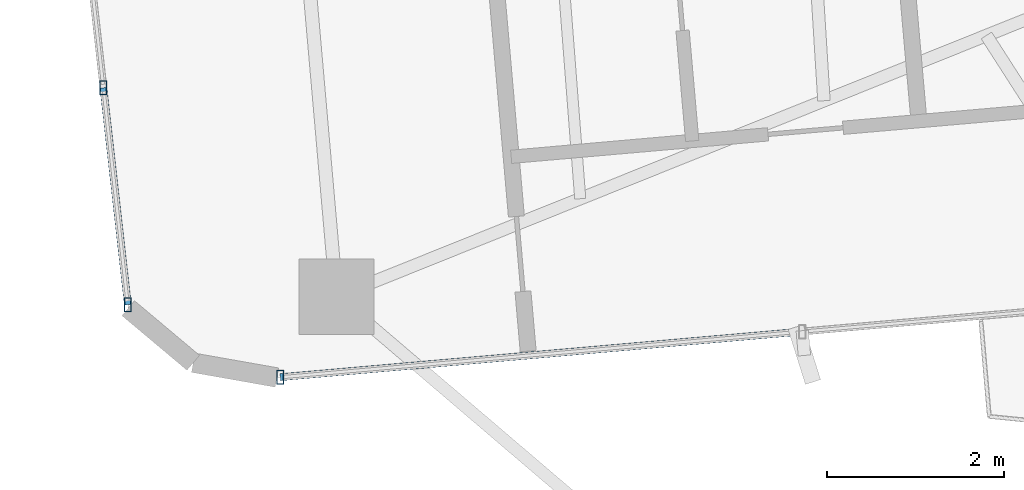
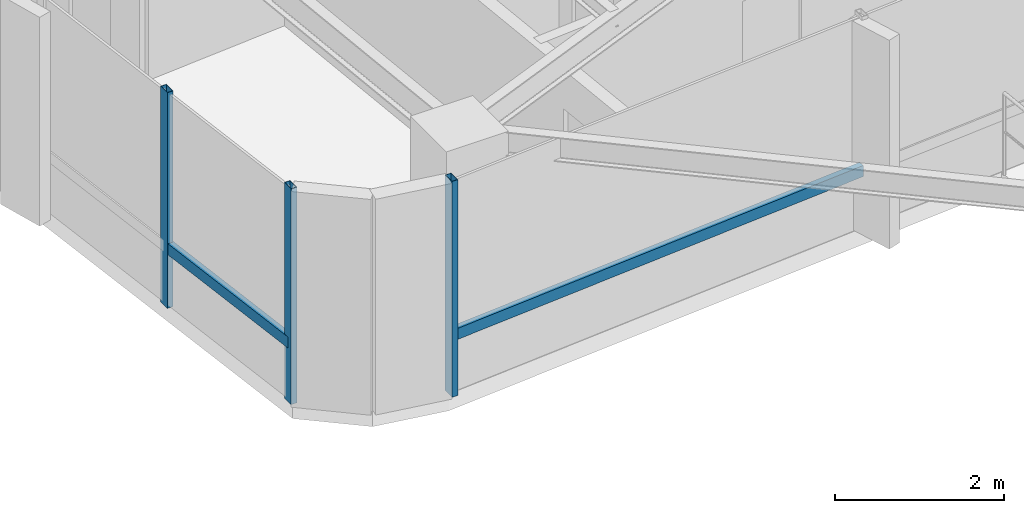
# One storey, part 3 of 24: 5 members, 2 elements without a shape of their own.
"""IFC4 building model written with IfcOpenShell, lengths in metres."""

from ifc_helpers import new_model, si_unit, direction, frame, origin, origin_2d, place, context, subcontext, project, spatial, hollow_rectangle, extrude, source, transform, mapped, material, material_profile, profile_set, type_object, element, aggregate, save


model = new_model("IFC4")

# Units and contexts
model_context = context("Model", 3, precision=1e-05, world=origin(), true_north=direction((0.0, 1.0)))
body_context = subcontext(model_context, "Body", "Model", "MODEL_VIEW")
ifc_project = project(units=[si_unit("LENGTHUNIT", "METRE"), si_unit("AREAUNIT", "SQUARE_METRE"), si_unit("VOLUMEUNIT", "CUBIC_METRE"), si_unit("PLANEANGLEUNIT", "RADIAN"), si_unit("MASSUNIT", "GRAM", prefix="KILO")], contexts=[model_context])

# Site, building, storey
site_placement = place(None, origin())
site = spatial("IfcSite", under=ifc_project, at=site_placement, CompositionType="ELEMENT")
building_placement = place(site_placement, origin())
building = spatial("IfcBuilding", under=site, at=building_placement, Name="Sahyath Konkavel Grand Hotel", CompositionType="ELEMENT")
storey_placement = place(building_placement, frame((0.0, 0.0, 147.25)))
storey = spatial("IfcBuildingStorey", under=building, at=storey_placement, Name="L40", CompositionType="ELEMENT", Elevation=147.25)

# Curtain wall, members
ifc_material_1 = material(Name="Anodised Bronze Aluminium & Low-E Glazing", Category="aluminium")
curtain_wall_type = type_object("IfcCurtainWallType", Name="CW-ZONE3", PredefinedType="NOTDEFINED", material=ifc_material_1)
curtain_wall_1_placement = place(storey_placement, origin())
curtain_wall_1 = element("IfcCurtainWall", 1, at=curtain_wall_1_placement, inside=storey, type_object=curtain_wall_type, Name="L40 Unitised Curtain Wall F20", PredefinedType="NOTDEFINED")
ifc_material_2 = material(Name="Anodised Bronze Aluminium", Category="aluminium")
ifc_material_profile_1 = material_profile(ifc_material_2, hollow_rectangle(XDim=0.080078125, YDim=0.159912109375, WallThickness=0.006103515625, at=origin_2d()), Name="RHS 160x80x6")
ifc_profile_set_1 = profile_set([ifc_material_profile_1], Name="Anodised Bronze Aluminium")
member_type_1 = type_object("IfcMemberType", Name="CW-MUL-160", PredefinedType="MULLION", material=ifc_profile_set_1)
shared_shape_1 = source(origin(), body_context, "Body", "SweptSolid", [
    extrude(hollow_rectangle(XDim=0.080078125, YDim=0.159912109375, WallThickness=0.006103515625, at=origin_2d()), origin(), (0.0, 0.0, 1.0), 3.110107421875),
])
member_1_placement = place(storey_placement, frame((-19.583984375, -4.648193359375, 0.0), z_axis=(0.0, 0.0, 1.0), x_axis=(1.0, 0.0, 0.0)))
member_1 = element("IfcMember", 2, at=member_1_placement, type_object=member_type_1, Name="L40 Curtain Wall Mullion F20-3", PredefinedType="MULLION", context=body_context, shape_type="MappedRepresentation", body=[
    mapped(shared_shape_1, transform((0.0, 0.0, 0.0), scale=1.0)),
])
member_2_placement = place(storey_placement, frame((-19.308349609375, -7.094970703125, 0.0), z_axis=(0.0, 0.0, 1.0), x_axis=(1.0, 0.0, 0.0)))
member_2 = element("IfcMember", 3, at=member_2_placement, type_object=member_type_1, Name="L40 Curtain Wall Mullion F20-4", PredefinedType="MULLION", context=body_context, shape_type="MappedRepresentation", body=[
    mapped(shared_shape_1, transform((0.0, 0.0, 0.0), scale=1.0)),
])

# Curtain wall, member
curtain_wall_2_placement = place(storey_placement, origin())
curtain_wall_2 = element("IfcCurtainWall", 4, at=curtain_wall_2_placement, inside=storey, type_object=curtain_wall_type, Name="L40 Unitised Curtain Wall F23", PredefinedType="NOTDEFINED")
member_3_placement = place(storey_placement, frame((-17.58740234375, -7.912841796875, 0.0), z_axis=(0.0, 0.0, 1.0), x_axis=(1.0, 0.0, 0.0)))
member_3 = element("IfcMember", 5, at=member_3_placement, type_object=member_type_1, Name="L40 Curtain Wall Mullion F23-0", PredefinedType="MULLION", context=body_context, shape_type="MappedRepresentation", body=[
    mapped(shared_shape_1, transform((0.0, 0.0, 0.0), scale=1.0)),
])

# Member
ifc_material_profile_2 = material_profile(ifc_material_2, hollow_rectangle(XDim=0.080078125, YDim=0.159912109375, WallThickness=0.006103515625, at=origin_2d()), Name="RHS 160x80x6")
ifc_profile_set_2 = profile_set([ifc_material_profile_2], Name="Anodised Bronze Aluminium")
member_type_2 = type_object("IfcMemberType", Name="CW-TRN-160", PredefinedType="USERDEFINED", material=ifc_profile_set_2)
shared_shape_2 = source(origin(), body_context, "Body", "SweptSolid", [
    extrude(hollow_rectangle(XDim=0.080078125, YDim=0.159912109375, WallThickness=0.006103515625, at=origin_2d()), origin(), (0.0, 0.0, 1.0), 2.462158203125),
])
member_4_placement = place(storey_placement, frame((-19.583984375, -4.648193359375, 0.85009765625), z_axis=(0.11194409079, -0.993714506555, 0.0), x_axis=(0.993714506555, 0.11194409079, 0.0)))
member_4 = element("IfcMember", 6, at=member_4_placement, type_object=member_type_2, Name="L40 Curtain Wall Transom F20-3-spandrel", ObjectType="TRANSOM", PredefinedType="USERDEFINED", context=body_context, shape_type="MappedRepresentation", body=[
    mapped(shared_shape_2, transform((0.0, 0.0, 0.0), scale=1.0)),
])

aggregate(curtain_wall_1, [member_1, member_2, member_4])

shared_shape_3 = source(origin(), body_context, "Body", "SweptSolid", [
    extrude(hollow_rectangle(XDim=0.080078125, YDim=0.159912109375, WallThickness=0.006103515625, at=origin_2d()), origin(), (0.0, 0.0, 1.0), 5.91015625),
])
member_5_placement = place(storey_placement, frame((-17.58740234375, -7.912841796875, 0.85009765625), z_axis=(0.996197841474, 0.087119806256, 0.0), x_axis=(-0.087119806256, 0.996197841474, 0.0)))
member_5 = element("IfcMember", 7, at=member_5_placement, type_object=member_type_2, Name="L40 Curtain Wall Transom F23-0-spandrel", ObjectType="TRANSOM", PredefinedType="USERDEFINED", context=body_context, shape_type="MappedRepresentation", body=[
    mapped(shared_shape_3, transform((0.0, 0.0, 0.0), scale=1.0)),
])

aggregate(curtain_wall_2, [member_3, member_5])

save(model, "model.ifc")
